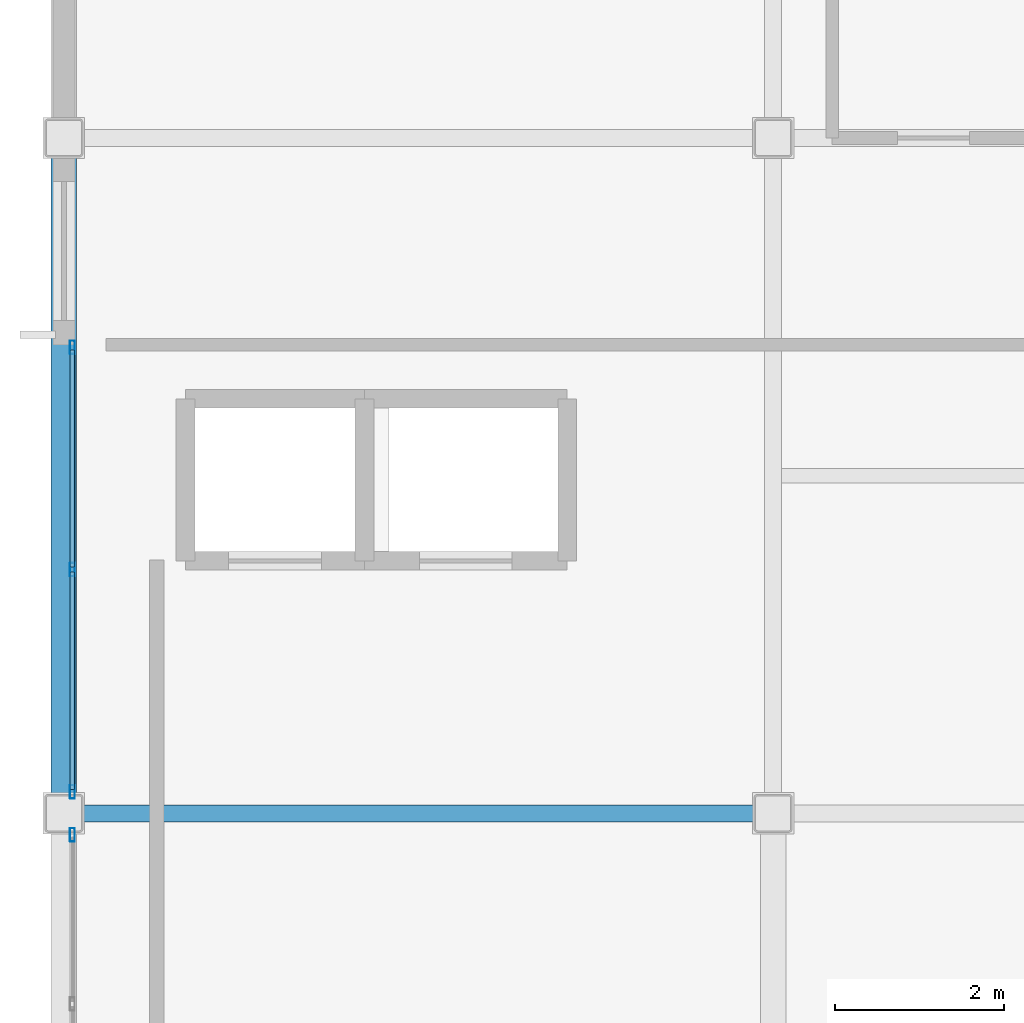
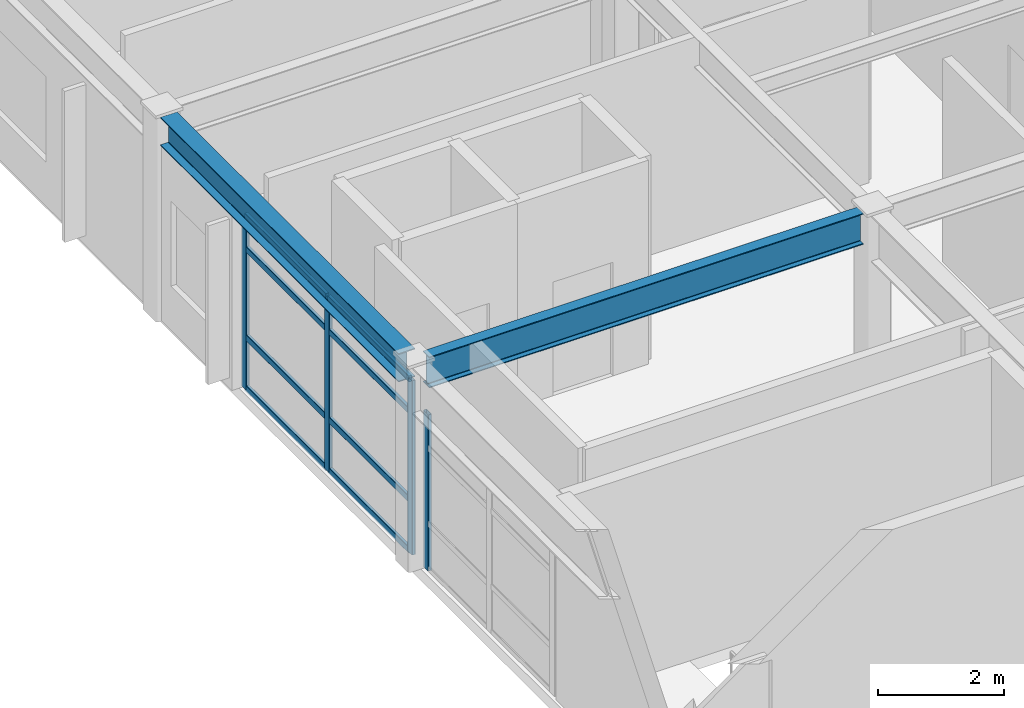
# One storey, part 18 of 34: 12 members, 2 beams, 2 elements without a shape of their own.
"""IFC4 building model written with IfcOpenShell, lengths in metres."""

from ifc_helpers import new_model, si_unit, direction, frame, origin, origin_2d, place, context, subcontext, project, spatial, hollow_rectangle, i_section, extrude, material, layer, layer_set, material_profile, profile_set, type_object, element, aggregate, save


model = new_model("IFC4")

# Units and contexts
model_context = context("Model", 3, precision=1e-05, world=origin(), true_north=direction((0.0, 1.0)))
body_context = subcontext(model_context, "Body", "Model", "MODEL_VIEW")
ifc_project = project(units=[si_unit("LENGTHUNIT", "METRE"), si_unit("AREAUNIT", "SQUARE_METRE"), si_unit("VOLUMEUNIT", "CUBIC_METRE"), si_unit("PLANEANGLEUNIT", "RADIAN"), si_unit("MASSUNIT", "GRAM", prefix="KILO")], contexts=[model_context])

# Site, building, storey
site_placement = place(None, origin())
site = spatial("IfcSite", under=ifc_project, at=site_placement, CompositionType="ELEMENT")
building_placement = place(site_placement, origin())
building = spatial("IfcBuilding", under=site, at=building_placement, Name="Kazehara Bluff Congress Hotel", CompositionType="ELEMENT")
storey_placement = place(building_placement, frame((0.0, 0.0, 46.199951171875)))
storey = spatial("IfcBuildingStorey", under=building, at=storey_placement, Name="L11", CompositionType="ELEMENT", Elevation=46.199951171875)

# Curtain wall, member
ifc_material_1 = material(Name="Anodised aluminium", Category="aluminium")
ifc_layer_1 = layer(ifc_material_1, 0.159912109375)
ifc_layer_set_1 = layer_set([ifc_layer_1], Name="Anodised aluminium")
curtain_wall_type_1 = type_object("IfcCurtainWallType", Name="TP-CW-215", PredefinedType="NOTDEFINED", material=ifc_layer_set_1)
curtain_wall_1_placement = place(storey_placement, origin())
curtain_wall_1 = element("IfcCurtainWall", 1, at=curtain_wall_1_placement, inside=storey, type_object=curtain_wall_type_1, Name="L11 curtain wall CW-215 CW-ENC-V5-L11-14380-5419", PredefinedType="NOTDEFINED")
ifc_material_2 = material(Name="Anodised aluminium", Category="aluminium")
ifc_material_profile_1 = material_profile(ifc_material_2, hollow_rectangle(XDim=0.06005859375, YDim=0.159912109375, WallThickness=0.00390625, InnerFilletRadius=0.00390625, OuterFilletRadius=0.008056640625, at=origin_2d()))
ifc_profile_set_1 = profile_set([ifc_material_profile_1], Name="Anodised aluminium")
member_type_1 = type_object("IfcMemberType", Name="TP-CWM-01", PredefinedType="MULLION", material=ifc_profile_set_1)
member_1_placement = place(storey_placement, frame((143.800048828125, 56.195068359375, 0.0), z_axis=(0.0, 0.0, 1.0), x_axis=(-1.0, 0.0, 0.0)))
member_1 = element("IfcMember", 2, at=member_1_placement, type_object=member_type_1, Name="CW-215 mullion 3", PredefinedType="MULLION", context=body_context, shape_type="SweptSolid", body=[
    extrude(hollow_rectangle(XDim=0.06005859375, YDim=0.159912109375, WallThickness=0.00390625, InnerFilletRadius=0.00390625, OuterFilletRadius=0.008056640625, at=origin_2d()), origin(), (0.0, 0.0, 1.0), 3.025146484375),
])
aggregate(curtain_wall_1, [member_1])

# Curtain wall, members
ifc_material_3 = material(Name="Anodised aluminium", Category="aluminium")
ifc_layer_2 = layer(ifc_material_3, 0.159912109375)
ifc_layer_set_2 = layer_set([ifc_layer_2], Name="Anodised aluminium")
curtain_wall_type_2 = type_object("IfcCurtainWallType", Name="TP-CW-216", PredefinedType="NOTDEFINED", material=ifc_layer_set_2)
curtain_wall_2_placement = place(storey_placement, origin())
curtain_wall_2 = element("IfcCurtainWall", 3, at=curtain_wall_2_placement, inside=storey, type_object=curtain_wall_type_2, Name="L11 curtain wall CW-216 CW-ENC-V5-L11-14380-5934", PredefinedType="NOTDEFINED")
member_2_placement = place(storey_placement, frame((143.800048828125, 56.705078125, 0.0), z_axis=(0.0, 0.0, 1.0), x_axis=(-1.0, 0.0, 0.0)))
member_2 = element("IfcMember", 4, at=member_2_placement, type_object=member_type_1, Name="CW-216 mullion 1", PredefinedType="MULLION", context=body_context, shape_type="SweptSolid", body=[
    extrude(hollow_rectangle(XDim=0.06005859375, YDim=0.159912109375, WallThickness=0.00390625, InnerFilletRadius=0.00390625, OuterFilletRadius=0.008056640625, at=origin_2d()), origin(), (0.0, 0.0, 1.0), 3.375),
])
member_3_placement = place(storey_placement, frame((143.800048828125, 59.33740234375, 0.0), z_axis=(0.0, 0.0, 1.0), x_axis=(-1.0, 0.0, 0.0)))
member_3 = element("IfcMember", 5, at=member_3_placement, type_object=member_type_1, Name="CW-216 mullion 2", PredefinedType="MULLION", context=body_context, shape_type="SweptSolid", body=[
    extrude(hollow_rectangle(XDim=0.06005859375, YDim=0.159912109375, WallThickness=0.00390625, InnerFilletRadius=0.00390625, OuterFilletRadius=0.008056640625, at=origin_2d()), origin(), (0.0, 0.0, 1.0), 3.375),
])
member_4_placement = place(storey_placement, frame((143.800048828125, 61.969970703125, 0.0), z_axis=(0.0, 0.0, 1.0), x_axis=(-1.0, 0.0, 0.0)))
member_4 = element("IfcMember", 6, at=member_4_placement, type_object=member_type_1, Name="CW-216 mullion 3", PredefinedType="MULLION", context=body_context, shape_type="SweptSolid", body=[
    extrude(hollow_rectangle(XDim=0.06005859375, YDim=0.159912109375, WallThickness=0.00390625, InnerFilletRadius=0.00390625, OuterFilletRadius=0.008056640625, at=origin_2d()), origin(), (0.0, 0.0, 1.0), 3.375),
])
ifc_material_4 = material(Name="Anodised aluminium", Category="aluminium")
ifc_material_profile_2 = material_profile(ifc_material_4, hollow_rectangle(XDim=0.06005859375, YDim=0.1201171875, WallThickness=0.00390625, InnerFilletRadius=0.00390625, OuterFilletRadius=0.008056640625, at=origin_2d()))
ifc_profile_set_2 = profile_set([ifc_material_profile_2], Name="Anodised aluminium")
member_type_2 = type_object("IfcMemberType", Name="TP-CWT-01", PredefinedType="USERDEFINED", material=ifc_profile_set_2)
member_5_placement = place(storey_placement, frame((143.800048828125, 56.735107421875, 0.030029296875), z_axis=(0.0, 1.0, 0.0), x_axis=(-1.0, 0.0, 0.0)))
member_5 = element("IfcMember", 7, at=member_5_placement, type_object=member_type_2, Name="CW-216 transom 1.1", ObjectType="TRANSOM", PredefinedType="USERDEFINED", context=body_context, shape_type="SweptSolid", body=[
    extrude(hollow_rectangle(XDim=0.06005859375, YDim=0.1201171875, WallThickness=0.00390625, InnerFilletRadius=0.00390625, OuterFilletRadius=0.008056640625, at=origin_2d()), origin(), (0.0, 0.0, 1.0), 2.572509765625),
])
member_6_placement = place(storey_placement, frame((143.800048828125, 56.735107421875, 1.01513671875), z_axis=(0.0, 1.0, 0.0), x_axis=(-1.0, 0.0, 0.0)))
member_6 = element("IfcMember", 8, at=member_6_placement, type_object=member_type_2, Name="CW-216 transom 1.2", ObjectType="TRANSOM", PredefinedType="USERDEFINED", context=body_context, shape_type="SweptSolid", body=[
    extrude(hollow_rectangle(XDim=0.06005859375, YDim=0.1201171875, WallThickness=0.00390625, InnerFilletRadius=0.00390625, OuterFilletRadius=0.008056640625, at=origin_2d()), origin(), (0.0, 0.0, 1.0), 2.572509765625),
])
member_7_placement = place(storey_placement, frame((143.800048828125, 56.735107421875, 2.72509765625), z_axis=(0.0, 1.0, 0.0), x_axis=(-1.0, 0.0, 0.0)))
member_7 = element("IfcMember", 9, at=member_7_placement, type_object=member_type_2, Name="CW-216 transom 1.3", ObjectType="TRANSOM", PredefinedType="USERDEFINED", context=body_context, shape_type="SweptSolid", body=[
    extrude(hollow_rectangle(XDim=0.06005859375, YDim=0.1201171875, WallThickness=0.00390625, InnerFilletRadius=0.00390625, OuterFilletRadius=0.008056640625, at=origin_2d()), origin(), (0.0, 0.0, 1.0), 2.572509765625),
])
member_8_placement = place(storey_placement, frame((143.800048828125, 56.735107421875, 3.344970703125), z_axis=(0.0, 1.0, 0.0), x_axis=(-1.0, 0.0, 0.0)))
member_8 = element("IfcMember", 10, at=member_8_placement, type_object=member_type_2, Name="CW-216 transom 1.4", ObjectType="TRANSOM", PredefinedType="USERDEFINED", context=body_context, shape_type="SweptSolid", body=[
    extrude(hollow_rectangle(XDim=0.06005859375, YDim=0.1201171875, WallThickness=0.00390625, InnerFilletRadius=0.00390625, OuterFilletRadius=0.008056640625, at=origin_2d()), origin(), (0.0, 0.0, 1.0), 2.572509765625),
])
member_9_placement = place(storey_placement, frame((143.800048828125, 59.367431640625, 0.030029296875), z_axis=(0.0, 1.0, 0.0), x_axis=(-1.0, 0.0, 0.0)))
member_9 = element("IfcMember", 11, at=member_9_placement, type_object=member_type_2, Name="CW-216 transom 2.1", ObjectType="TRANSOM", PredefinedType="USERDEFINED", context=body_context, shape_type="SweptSolid", body=[
    extrude(hollow_rectangle(XDim=0.06005859375, YDim=0.1201171875, WallThickness=0.00390625, InnerFilletRadius=0.00390625, OuterFilletRadius=0.008056640625, at=origin_2d()), origin(), (0.0, 0.0, 1.0), 2.572509765625),
])
member_10_placement = place(storey_placement, frame((143.800048828125, 59.367431640625, 1.01513671875), z_axis=(0.0, 1.0, 0.0), x_axis=(-1.0, 0.0, 0.0)))
member_10 = element("IfcMember", 12, at=member_10_placement, type_object=member_type_2, Name="CW-216 transom 2.2", ObjectType="TRANSOM", PredefinedType="USERDEFINED", context=body_context, shape_type="SweptSolid", body=[
    extrude(hollow_rectangle(XDim=0.06005859375, YDim=0.1201171875, WallThickness=0.00390625, InnerFilletRadius=0.00390625, OuterFilletRadius=0.008056640625, at=origin_2d()), origin(), (0.0, 0.0, 1.0), 2.572509765625),
])
member_11_placement = place(storey_placement, frame((143.800048828125, 59.367431640625, 2.72509765625), z_axis=(0.0, 1.0, 0.0), x_axis=(-1.0, 0.0, 0.0)))
member_11 = element("IfcMember", 13, at=member_11_placement, type_object=member_type_2, Name="CW-216 transom 2.3", ObjectType="TRANSOM", PredefinedType="USERDEFINED", context=body_context, shape_type="SweptSolid", body=[
    extrude(hollow_rectangle(XDim=0.06005859375, YDim=0.1201171875, WallThickness=0.00390625, InnerFilletRadius=0.00390625, OuterFilletRadius=0.008056640625, at=origin_2d()), origin(), (0.0, 0.0, 1.0), 2.572509765625),
])
member_12_placement = place(storey_placement, frame((143.800048828125, 59.367431640625, 3.344970703125), z_axis=(0.0, 1.0, 0.0), x_axis=(-1.0, 0.0, 0.0)))
member_12 = element("IfcMember", 14, at=member_12_placement, type_object=member_type_2, Name="CW-216 transom 2.4", ObjectType="TRANSOM", PredefinedType="USERDEFINED", context=body_context, shape_type="SweptSolid", body=[
    extrude(hollow_rectangle(XDim=0.06005859375, YDim=0.1201171875, WallThickness=0.00390625, InnerFilletRadius=0.00390625, OuterFilletRadius=0.008056640625, at=origin_2d()), origin(), (0.0, 0.0, 1.0), 2.572509765625),
])
aggregate(curtain_wall_2, [member_2, member_3, member_4, member_5, member_6, member_7, member_8, member_9, member_10, member_11, member_12])

# Beams
ifc_material_5 = material(Name="Steel SN490B", Category="steel")
ifc_material_profile_3 = material_profile(ifc_material_5, i_section(OverallWidth=0.199951171875, OverallDepth=0.60009765625, WebThickness=0.010986328125, FlangeThickness=0.01708984375, FilletRadius=0.012939453125, at=origin_2d()))
ifc_profile_set_3 = profile_set([ifc_material_profile_3], Name="Steel SN490B")
beam_type_1 = type_object("IfcBeamType", Name="TP-G-02", PredefinedType="BEAM", material=ifc_profile_set_3)
beam_1_placement = place(storey_placement, frame((143.925048828125, 56.449951171875, 3.650146484375), z_axis=(1.0, 0.0, 0.0), x_axis=(0.0, 1.0, 0.0)))
element("IfcBeam", 15, at=beam_1_placement, inside=storey, type_object=beam_type_1, Name="L11 girder G-02 38", PredefinedType="BEAM", context=body_context, shape_type="SweptSolid", body=[
    extrude(i_section(OverallWidth=0.199951171875, OverallDepth=0.60009765625, WebThickness=0.010986328125, FlangeThickness=0.01708984375, FilletRadius=0.012939453125, at=origin_2d()), origin(), (0.0, 0.0, 1.0), 7.949951171875),
])
ifc_material_6 = material(Name="Steel SN490B", Category="steel")
ifc_material_profile_4 = material_profile(ifc_material_6, i_section(OverallWidth=0.300048828125, OverallDepth=0.550048828125, WebThickness=0.010986328125, FlangeThickness=0.01806640625, FilletRadius=0.012939453125, at=origin_2d()))
ifc_profile_set_4 = profile_set([ifc_material_profile_4], Name="Steel SN490B")
beam_type_2 = type_object("IfcBeamType", Name="TP-SP-01", PredefinedType="SPANDREL", material=ifc_profile_set_4)
beam_2_placement = place(storey_placement, frame((143.699951171875, 56.675048828125, 3.675048828125), z_axis=(0.0, 1.0, 0.0), x_axis=(-1.0, 0.0, 0.0)))
element("IfcBeam", 16, at=beam_2_placement, inside=storey, type_object=beam_type_2, Name="L11 girder SP-01 5", PredefinedType="SPANDREL", context=body_context, shape_type="SweptSolid", body=[
    extrude(i_section(OverallWidth=0.300048828125, OverallDepth=0.550048828125, WebThickness=0.010986328125, FlangeThickness=0.01806640625, FilletRadius=0.012939453125, at=origin_2d()), origin(), (0.0, 0.0, 1.0), 7.550048828125),
])

save(model, "model.ifc")
